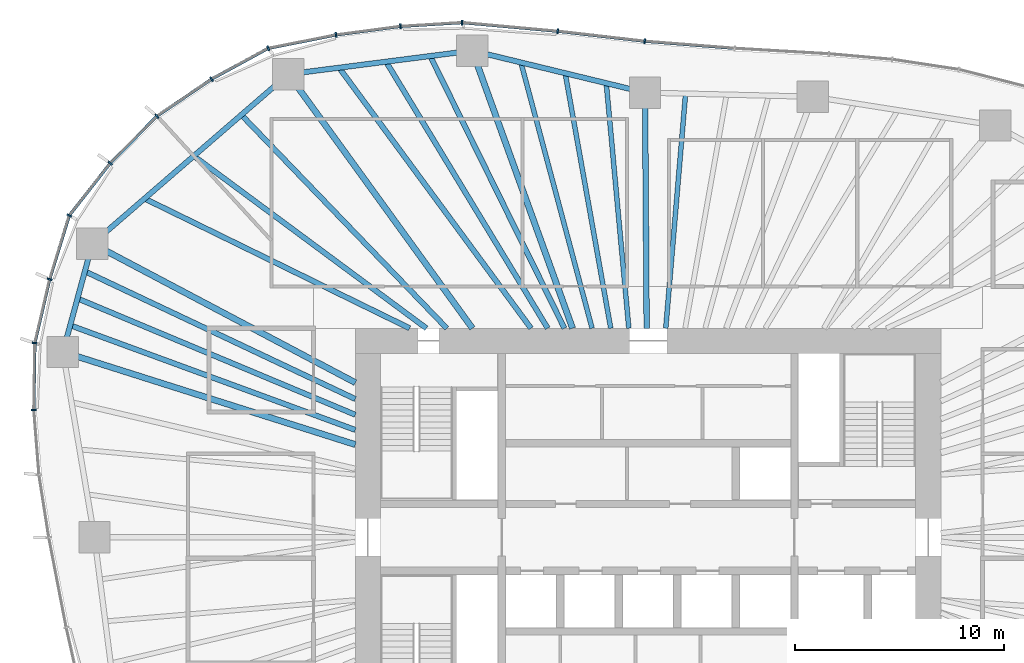
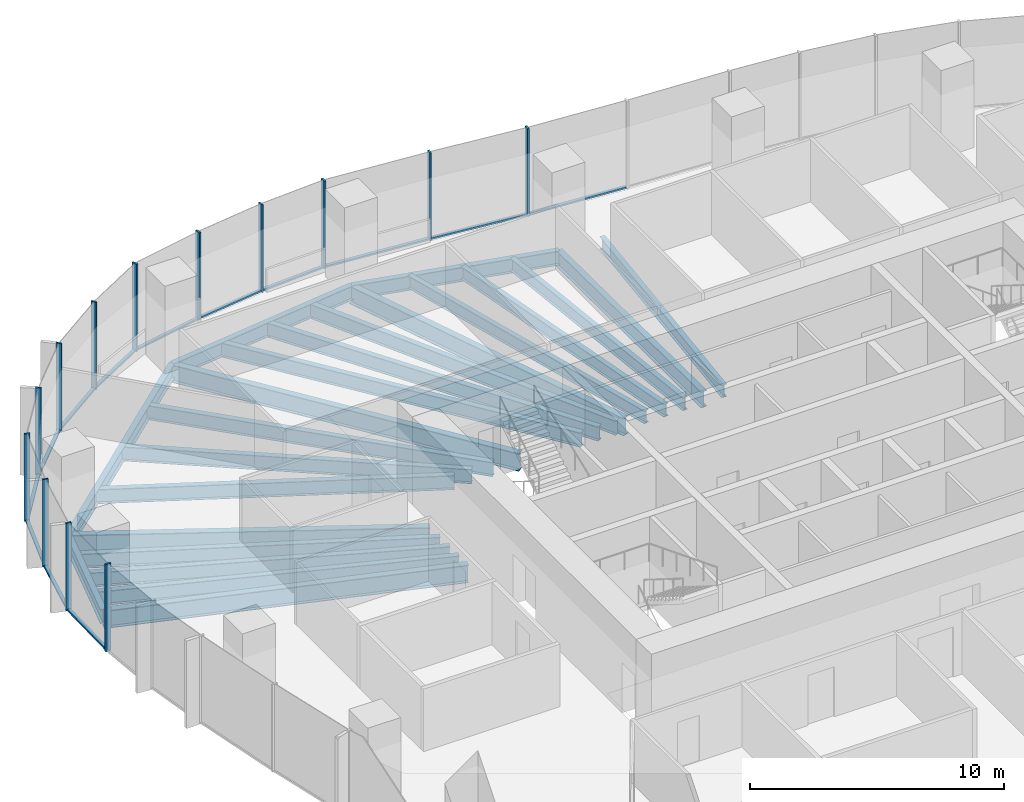
# One storey, part 5 of 18: 26 members, 22 beams, 6 elements without a shape of their own.
"""IFC4 building model written with IfcOpenShell, lengths in metres."""

from ifc_helpers import new_model, si_unit, direction, frame, origin, origin_2d, place, context, subcontext, project, spatial, rectangle, i_section, extrude, material, material_profile, profile_set, type_object, element, aggregate, save


model = new_model("IFC4")

# Units and contexts
model_context = context("Model", 3, precision=1e-05, world=origin(), true_north=direction((0.0, 1.0)))
body_context = subcontext(model_context, "Body", "Model", "MODEL_VIEW")
ifc_project = project(units=[si_unit("LENGTHUNIT", "METRE"), si_unit("AREAUNIT", "SQUARE_METRE"), si_unit("VOLUMEUNIT", "CUBIC_METRE"), si_unit("PLANEANGLEUNIT", "RADIAN"), si_unit("MASSUNIT", "GRAM", prefix="KILO")], contexts=[model_context])

# Site, building, storey
site_placement = place(None, origin())
site = spatial("IfcSite", under=ifc_project, at=site_placement, CompositionType="ELEMENT")
building_placement = place(site_placement, origin())
building = spatial("IfcBuilding", under=site, at=building_placement, Name="Ghaith Harvest Tower", CompositionType="ELEMENT")
storey_placement = place(building_placement, frame((0.0, 0.0, 117.60009765625)))
storey = spatial("IfcBuildingStorey", under=building, at=storey_placement, Name="L24", CompositionType="ELEMENT", Elevation=117.60009765625)

# Curtain wall, members
ifc_material_1 = material(Name="Black anodised aluminium and fritted glass", Category="aluminium")
curtain_wall_type = type_object("IfcCurtainWallType", Name="CW-L CURTAIN WALL", PredefinedType="NOTDEFINED", material=ifc_material_1)
curtain_wall_1_placement = place(storey_placement, origin())
curtain_wall_1 = element("IfcCurtainWall", 1, at=curtain_wall_1_placement, inside=storey, type_object=curtain_wall_type, Name="Curtain wall CW-L bay 06 L24", PredefinedType="NOTDEFINED")
ifc_material_2 = material(Name="Aluminium, black anodised", Category="aluminium")
ifc_material_profile_1 = material_profile(ifc_material_2, rectangle(XDim=0.080078125, YDim=0.239990234375, at=origin_2d()), Name="CW-L MULLION 80x240")
ifc_profile_set_1 = profile_set([ifc_material_profile_1], Name="Aluminium, black anodised")
member_type_1 = type_object("IfcMemberType", Name="CW-L MULLION 80x240", PredefinedType="MULLION", material=ifc_profile_set_1)
member_1_placement = place(storey_placement, frame((-0.162353515625, 23.729736328125, 0.0), z_axis=(0.0, 0.0, 1.0), x_axis=(-0.995388088953, 0.095929934691, 0.0)))
member_1 = element("IfcMember", 2, at=member_1_placement, type_object=member_type_1, Name="CW-L mullion 1 bay 06 L24", PredefinedType="MULLION", context=body_context, shape_type="SweptSolid", body=[
    extrude(rectangle(XDim=0.080078125, YDim=0.239990234375, at=origin_2d()), origin(), (0.0, 0.0, 1.0), 4.199951171875),
])
member_2_placement = place(storey_placement, frame((-4.322998046875, 24.207275390625, 0.0), z_axis=(0.0, 0.0, 1.0), x_axis=(-0.994830371571, 0.101550636625, 0.0)))
member_2 = element("IfcMember", 3, at=member_2_placement, type_object=member_type_1, Name="CW-L mullion 2 bay 06 L24", PredefinedType="MULLION", context=body_context, shape_type="SweptSolid", body=[
    extrude(rectangle(XDim=0.080078125, YDim=0.239990234375, at=origin_2d()), origin(), (0.0, 0.0, 1.0), 4.199951171875),
])

curtain_wall_2_placement = place(storey_placement, origin())
curtain_wall_2 = element("IfcCurtainWall", 4, at=curtain_wall_2_placement, inside=storey, type_object=curtain_wall_type, Name="Curtain wall CW-L bay 07 L24", PredefinedType="NOTDEFINED")
member_3_placement = place(storey_placement, frame((-8.892578125, 24.620849609375, 0.0), z_axis=(0.0, 0.0, 1.0), x_axis=(-0.999522209385, 0.030908784286, 0.0)))
member_3 = element("IfcMember", 5, at=member_3_placement, type_object=member_type_1, Name="CW-L mullion 1 bay 07 L24", PredefinedType="MULLION", context=body_context, shape_type="SweptSolid", body=[
    extrude(rectangle(XDim=0.080078125, YDim=0.239990234375, at=origin_2d()), origin(), (0.0, 0.0, 1.0), 4.199951171875),
])
member_4_placement = place(storey_placement, frame((-11.841064453125, 24.439697265625, 0.0), z_axis=(0.0, 0.0, 1.0), x_axis=(-0.995237520168, -0.097479630949, 0.0)))
member_4 = element("IfcMember", 6, at=member_4_placement, type_object=member_type_1, Name="CW-L mullion 2 bay 07 L24", PredefinedType="MULLION", context=body_context, shape_type="SweptSolid", body=[
    extrude(rectangle(XDim=0.080078125, YDim=0.239990234375, at=origin_2d()), origin(), (0.0, 0.0, 1.0), 4.199951171875),
])
member_5_placement = place(storey_placement, frame((-14.923828125, 24.030029296875, 0.0), z_axis=(0.0, 0.0, 1.0), x_axis=(-0.986494514812, -0.163794298578, 0.0)))
member_5 = element("IfcMember", 7, at=member_5_placement, type_object=member_type_1, Name="CW-L mullion 3 bay 07 L24", PredefinedType="MULLION", context=body_context, shape_type="SweptSolid", body=[
    extrude(rectangle(XDim=0.080078125, YDim=0.239990234375, at=origin_2d()), origin(), (0.0, 0.0, 1.0), 4.199951171875),
])

curtain_wall_3_placement = place(storey_placement, origin())
curtain_wall_3 = element("IfcCurtainWall", 8, at=curtain_wall_3_placement, inside=storey, type_object=curtain_wall_type, Name="Curtain wall CW-L bay 08 L24", PredefinedType="NOTDEFINED")
member_6_placement = place(storey_placement, frame((-18.165283203125, 23.3896484375, 0.0), z_axis=(0.0, 0.0, 1.0), x_axis=(-0.942103541202, -0.335322110298, 0.0)))
member_6 = element("IfcMember", 9, at=member_6_placement, type_object=member_type_1, Name="CW-L mullion 1 bay 08 L24", PredefinedType="MULLION", context=body_context, shape_type="SweptSolid", body=[
    extrude(rectangle(XDim=0.080078125, YDim=0.239990234375, at=origin_2d()), origin(), (0.0, 0.0, 1.0), 4.199951171875),
])
member_7_placement = place(storey_placement, frame((-20.87548828125, 21.91162109375, 0.0), z_axis=(0.0, 0.0, 1.0), x_axis=(-0.853515864435, -0.521066856707, 0.0)))
member_7 = element("IfcMember", 10, at=member_7_placement, type_object=member_type_1, Name="CW-L mullion 2 bay 08 L24", PredefinedType="MULLION", context=body_context, shape_type="SweptSolid", body=[
    extrude(rectangle(XDim=0.080078125, YDim=0.239990234375, at=origin_2d()), origin(), (0.0, 0.0, 1.0), 4.199951171875),
])
member_8_placement = place(storey_placement, frame((-23.489501953125, 20.13916015625, 0.0), z_axis=(0.0, 0.0, 1.0), x_axis=(-0.769682554376, -0.638426789451, 0.0)))
member_8 = element("IfcMember", 11, at=member_8_placement, type_object=member_type_1, Name="CW-L mullion 3 bay 08 L24", PredefinedType="MULLION", context=body_context, shape_type="SweptSolid", body=[
    extrude(rectangle(XDim=0.080078125, YDim=0.239990234375, at=origin_2d()), origin(), (0.0, 0.0, 1.0), 4.199951171875),
])

curtain_wall_4_placement = place(storey_placement, origin())
curtain_wall_4 = element("IfcCurtainWall", 12, at=curtain_wall_4_placement, inside=storey, type_object=curtain_wall_type, Name="Curtain wall CW-L bay 09 L24", PredefinedType="NOTDEFINED")
member_9_placement = place(storey_placement, frame((-25.718017578125, 17.894775390625, 0.0), z_axis=(0.0, 0.0, 1.0), x_axis=(-0.661903840688, -0.749588757708, 0.0)))
member_9 = element("IfcMember", 13, at=member_9_placement, type_object=member_type_1, Name="CW-L mullion 1 bay 09 L24", PredefinedType="MULLION", context=body_context, shape_type="SweptSolid", body=[
    extrude(rectangle(XDim=0.080078125, YDim=0.239990234375, at=origin_2d()), origin(), (0.0, 0.0, 1.0), 4.199951171875),
])
member_10_placement = place(storey_placement, frame((-27.67919921875, 15.39453125, 0.0), z_axis=(0.0, 0.0, 1.0), x_axis=(-0.462889784298, -0.886415843491, 0.0)))
member_10 = element("IfcMember", 14, at=member_10_placement, type_object=member_type_1, Name="CW-L mullion 2 bay 09 L24", PredefinedType="MULLION", context=body_context, shape_type="SweptSolid", body=[
    extrude(rectangle(XDim=0.080078125, YDim=0.239990234375, at=origin_2d()), origin(), (0.0, 0.0, 1.0), 4.199951171875),
])
member_11_placement = place(storey_placement, frame((-28.61669921875, 12.343994140625, 0.0), z_axis=(0.0, 0.0, 1.0), x_axis=(-0.260727312416, -0.965412486226, 0.0)))
member_11 = element("IfcMember", 15, at=member_11_placement, type_object=member_type_1, Name="CW-L mullion 3 bay 09 L24", PredefinedType="MULLION", context=body_context, shape_type="SweptSolid", body=[
    extrude(rectangle(XDim=0.080078125, YDim=0.239990234375, at=origin_2d()), origin(), (0.0, 0.0, 1.0), 4.199951171875),
])

curtain_wall_5_placement = place(storey_placement, origin())
curtain_wall_5 = element("IfcCurtainWall", 16, at=curtain_wall_5_placement, inside=storey, type_object=curtain_wall_type, Name="Curtain wall CW-L bay 10 L24", PredefinedType="NOTDEFINED")
member_12_placement = place(storey_placement, frame((-29.32666015625, 9.294189453125, 0.0), z_axis=(0.0, 0.0, 1.0), x_axis=(-0.120932140225, -0.99266077663, 0.0)))
member_12 = element("IfcMember", 17, at=member_12_placement, type_object=member_type_1, Name="CW-L mullion 1 bay 10 L24", PredefinedType="MULLION", context=body_context, shape_type="SweptSolid", body=[
    extrude(rectangle(XDim=0.080078125, YDim=0.239990234375, at=origin_2d()), origin(), (0.0, 0.0, 1.0), 4.199951171875),
])
member_13_placement = place(storey_placement, frame((-29.3779296875, 6.09619140625, 0.0), z_axis=(0.0, 0.0, 1.0), x_axis=(0.031027769448, -0.999518522851, 0.0)))
member_13 = element("IfcMember", 18, at=member_13_placement, type_object=member_type_1, Name="CW-L mullion 2 bay 10 L24", PredefinedType="MULLION", context=body_context, shape_type="SweptSolid", body=[
    extrude(rectangle(XDim=0.080078125, YDim=0.239990234375, at=origin_2d()), origin(), (0.0, 0.0, 1.0), 4.199951171875),
])

# Curtain wall, member
curtain_wall_6_placement = place(storey_placement, origin())
curtain_wall_6 = element("IfcCurtainWall", 19, at=curtain_wall_6_placement, inside=storey, type_object=curtain_wall_type, Name="Curtain wall CW-L bay 05 L24", PredefinedType="NOTDEFINED")
ifc_material_3 = material(Name="Aluminium, black anodised", Category="aluminium")
ifc_material_profile_2 = material_profile(ifc_material_3, rectangle(XDim=0.14990234375, YDim=0.080078125, at=origin_2d()), Name="CW-L TRANSOM 150x80")
ifc_profile_set_2 = profile_set([ifc_material_profile_2], Name="Aluminium, black anodised")
member_type_2 = type_object("IfcMemberType", Name="CW-L TRANSOM 150x80", PredefinedType="USERDEFINED", material=ifc_profile_set_2)
member_14_placement = place(storey_placement, frame((4.106689453125, 23.39404296875, 0.039794921875), z_axis=(-0.996923406046, 0.078381901463, 0.0), x_axis=(-0.078381901463, -0.996923406046, 0.0)))
member_14 = element("IfcMember", 20, at=member_14_placement, type_object=member_type_2, Name="CW-L transom 2 bay 05 L24", ObjectType="TRANSOM", PredefinedType="USERDEFINED", context=body_context, shape_type="SweptSolid", body=[
    extrude(rectangle(XDim=0.14990234375, YDim=0.080078125, at=origin_2d()), origin(), (0.0, 0.0, 1.0), 4.2421875),
])
aggregate(curtain_wall_6, [member_14])

# Member
member_15_placement = place(storey_placement, frame((-0.2021484375, 23.734130859375, 0.039794921875), z_axis=(-0.993474883942, 0.114051106861, 0.0), x_axis=(-0.114051106861, -0.993474883942, 0.0)))
member_15 = element("IfcMember", 21, at=member_15_placement, type_object=member_type_2, Name="CW-L transom 1 bay 06 L24", ObjectType="TRANSOM", PredefinedType="USERDEFINED", context=body_context, shape_type="SweptSolid", body=[
    extrude(rectangle(XDim=0.14990234375, YDim=0.080078125, at=origin_2d()), origin(), (0.0, 0.0, 1.0), 4.10791015625),
])

member_16_placement = place(storey_placement, frame((-4.36279296875, 24.210693359375, 0.039794921875), z_axis=(-0.995926431676, 0.090169521954, 0.0), x_axis=(-0.090169521954, -0.995926431676, 0.0)))
member_16 = element("IfcMember", 22, at=member_16_placement, type_object=member_type_2, Name="CW-L transom 2 bay 06 L24", ObjectType="TRANSOM", PredefinedType="USERDEFINED", context=body_context, shape_type="SweptSolid", body=[
    extrude(rectangle(XDim=0.14990234375, YDim=0.080078125, at=origin_2d()), origin(), (0.0, 0.0, 1.0), 4.508056640625),
])

aggregate(curtain_wall_1, [member_1, member_15, member_2, member_16])

member_17_placement = place(storey_placement, frame((-8.932373046875, 24.618408203125, 0.039794921875), z_axis=(-0.998117793577, -0.061325933705, 0.0), x_axis=(0.061325933705, -0.998117793577, 0.0)))
member_17 = element("IfcMember", 23, at=member_17_placement, type_object=member_type_2, Name="CW-L transom 1 bay 07 L24", ObjectType="TRANSOM", PredefinedType="USERDEFINED", context=body_context, shape_type="SweptSolid", body=[
    extrude(rectangle(XDim=0.14990234375, YDim=0.080078125, at=origin_2d()), origin(), (0.0, 0.0, 1.0), 2.874267578125),
])

member_18_placement = place(storey_placement, frame((-11.880859375, 24.434326171875, 0.039794921875), z_axis=(-0.991293929443, -0.131667556553, 0.0), x_axis=(0.131667556553, -0.991293929443, 0.0)))
member_18 = element("IfcMember", 24, at=member_18_placement, type_object=member_type_2, Name="CW-L transom 2 bay 07 L24", ObjectType="TRANSOM", PredefinedType="USERDEFINED", context=body_context, shape_type="SweptSolid", body=[
    extrude(rectangle(XDim=0.14990234375, YDim=0.080078125, at=origin_2d()), origin(), (0.0, 0.0, 1.0), 3.02978515625),
])

member_19_placement = place(storey_placement, frame((-14.963134765625, 24.022216796875, 0.039794921875), z_axis=(-0.98104391994, -0.19378551842, 0.0), x_axis=(0.19378551842, -0.98104391994, 0.0)))
member_19 = element("IfcMember", 25, at=member_19_placement, type_object=member_type_2, Name="CW-L transom 3 bay 07 L24", ObjectType="TRANSOM", PredefinedType="USERDEFINED", context=body_context, shape_type="SweptSolid", body=[
    extrude(rectangle(XDim=0.14990234375, YDim=0.080078125, at=origin_2d()), origin(), (0.0, 0.0, 1.0), 3.223876953125),
])

aggregate(curtain_wall_2, [member_3, member_17, member_4, member_18, member_5, member_19])

member_20_placement = place(storey_placement, frame((-18.200439453125, 23.37060546875, 0.039794921875), z_axis=(-0.877929702377, -0.478789554695, 0.0), x_axis=(0.478789554695, -0.877929702377, 0.0)))
member_20 = element("IfcMember", 26, at=member_20_placement, type_object=member_type_2, Name="CW-L transom 1 bay 08 L24", ObjectType="TRANSOM", PredefinedType="USERDEFINED", context=body_context, shape_type="SweptSolid", body=[
    extrude(rectangle(XDim=0.14990234375, YDim=0.080078125, at=origin_2d()), origin(), (0.0, 0.0, 1.0), 3.0068359375),
])

member_21_placement = place(storey_placement, frame((-20.908447265625, 21.88916015625, 0.039794921875), z_axis=(-0.827681025079, -0.561198824593, 0.0), x_axis=(0.561198824593, -0.827681025079, 0.0)))
member_21 = element("IfcMember", 27, at=member_21_placement, type_object=member_type_2, Name="CW-L transom 2 bay 08 L24", ObjectType="TRANSOM", PredefinedType="USERDEFINED", context=body_context, shape_type="SweptSolid", body=[
    extrude(rectangle(XDim=0.14990234375, YDim=0.080078125, at=origin_2d()), origin(), (0.0, 0.0, 1.0), 3.078369140625),
])

member_22_placement = place(storey_placement, frame((-23.517578125, 20.11083984375, 0.039794921875), z_axis=(-0.704647577514, -0.709557461735, 0.0), x_axis=(0.709557461735, -0.704647577514, 0.0)))
member_22 = element("IfcMember", 28, at=member_22_placement, type_object=member_type_2, Name="CW-L transom 3 bay 08 L24", ObjectType="TRANSOM", PredefinedType="USERDEFINED", context=body_context, shape_type="SweptSolid", body=[
    extrude(rectangle(XDim=0.14990234375, YDim=0.080078125, at=origin_2d()), origin(), (0.0, 0.0, 1.0), 3.0830078125),
])

aggregate(curtain_wall_3, [member_6, member_20, member_7, member_21, member_8, member_22])

member_23_placement = place(storey_placement, frame((-25.74267578125, 17.86328125, 0.039794921875), z_axis=(-0.617198298797, -0.786807638474, 0.0), x_axis=(0.786807638474, -0.617198298797, 0.0)))
member_23 = element("IfcMember", 29, at=member_23_placement, type_object=member_type_2, Name="CW-L transom 1 bay 09 L24", ObjectType="TRANSOM", PredefinedType="USERDEFINED", context=body_context, shape_type="SweptSolid", body=[
    extrude(rectangle(XDim=0.14990234375, YDim=0.080078125, at=origin_2d()), origin(), (0.0, 0.0, 1.0), 3.09765625),
])

member_24_placement = place(storey_placement, frame((-27.69091796875, 15.356201171875, 0.039794921875), z_axis=(-0.293777058804, -0.955873966441, 0.0), x_axis=(0.955873966441, -0.293777058804, 0.0)))
member_24 = element("IfcMember", 30, at=member_24_placement, type_object=member_type_2, Name="CW-L transom 2 bay 09 L24", ObjectType="TRANSOM", PredefinedType="USERDEFINED", context=body_context, shape_type="SweptSolid", body=[
    extrude(rectangle(XDim=0.14990234375, YDim=0.080078125, at=origin_2d()), origin(), (0.0, 0.0, 1.0), 3.111328125),
])

member_25_placement = place(storey_placement, frame((-28.6259765625, 12.304931640625, 0.039794921875), z_axis=(-0.226670598607, -0.973971477882, 0.0), x_axis=(0.973971477882, -0.226670598607, 0.0)))
member_25 = element("IfcMember", 31, at=member_25_placement, type_object=member_type_2, Name="CW-L transom 3 bay 09 L24", ObjectType="TRANSOM", PredefinedType="USERDEFINED", context=body_context, shape_type="SweptSolid", body=[
    extrude(rectangle(XDim=0.14990234375, YDim=0.080078125, at=origin_2d()), origin(), (0.0, 0.0, 1.0), 3.05126953125),
])

aggregate(curtain_wall_4, [member_9, member_23, member_10, member_24, member_11, member_25])

member_26_placement = place(storey_placement, frame((-29.327392578125, 9.254150390625, 0.039794921875), z_axis=(-0.015971652868, -0.999872445017, 0.0), x_axis=(0.999872445017, -0.015971652868, 0.0)))
member_26 = element("IfcMember", 32, at=member_26_placement, type_object=member_type_2, Name="CW-L transom 1 bay 10 L24", ObjectType="TRANSOM", PredefinedType="USERDEFINED", context=body_context, shape_type="SweptSolid", body=[
    extrude(rectangle(XDim=0.14990234375, YDim=0.080078125, at=origin_2d()), origin(), (0.0, 0.0, 1.0), 3.118408203125),
])

aggregate(curtain_wall_5, [member_12, member_26, member_13])

# Beams
ifc_material_4 = material(Name="Steel ASTM A992 Grade 50", Category="steel")
ifc_material_profile_3 = material_profile(ifc_material_4, i_section(OverallWidth=0.25390625, OverallDepth=0.68408203125, WebThickness=0.012451171875, FlangeThickness=0.018798828125, at=origin_2d()), Name="W690X140")
ifc_profile_set_3 = profile_set([ifc_material_profile_3], Name="Steel ASTM A992 Grade 50")
beam_type_1 = type_object("IfcBeamType", Name="E690-140 W690X140", PredefinedType="SPANDREL", material=ifc_profile_set_3)
beam_1_placement = place(storey_placement, frame((-0.14599609375, 21.27099609375, -0.51220703125), z_axis=(-0.971790293477, 0.235846614358, 0.0), x_axis=(-0.235846614358, -0.971790293477, 0.0)))
element("IfcBeam", 33, at=beam_1_placement, inside=storey, type_object=beam_type_1, Name="Edge beam E06 L24", PredefinedType="SPANDREL", context=body_context, shape_type="SweptSolid", body=[
    extrude(i_section(OverallWidth=0.25390625, OverallDepth=0.68408203125, WebThickness=0.012451171875, FlangeThickness=0.018798828125, at=origin_2d()), origin(), (0.0, 0.0, 1.0), 8.500732421875),
])
beam_2_placement = place(storey_placement, frame((-8.406982421875, 23.27587890625, -0.51220703125), z_axis=(-0.991904090065, -0.126989275577, 0.0), x_axis=(0.126989275577, -0.991904090065, 0.0)))
element("IfcBeam", 34, at=beam_2_placement, inside=storey, type_object=beam_type_1, Name="Edge beam E07 L24", PredefinedType="SPANDREL", context=body_context, shape_type="SweptSolid", body=[
    extrude(i_section(OverallWidth=0.25390625, OverallDepth=0.68408203125, WebThickness=0.012451171875, FlangeThickness=0.018798828125, at=origin_2d()), origin(), (0.0, 0.0, 1.0), 8.86669921875),
])
beam_3_placement = place(storey_placement, frame((-17.201904296875, 22.14990234375, -0.51220703125), z_axis=(-0.756392158274, -0.654118416574, 0.0), x_axis=(0.654118416574, -0.756392158274, 0.0)))
element("IfcBeam", 35, at=beam_3_placement, inside=storey, type_object=beam_type_1, Name="Edge beam E08 L24", PredefinedType="SPANDREL", context=body_context, shape_type="SweptSolid", body=[
    extrude(i_section(OverallWidth=0.25390625, OverallDepth=0.68408203125, WebThickness=0.012451171875, FlangeThickness=0.018798828125, at=origin_2d()), origin(), (0.0, 0.0, 1.0), 12.38916015625),
])
beam_4_placement = place(storey_placement, frame((-26.572998046875, 14.0458984375, -0.51220703125), z_axis=(-0.262724740433, -0.964870825947, 0.0), x_axis=(0.964870825947, -0.262724740433, 0.0)))
element("IfcBeam", 36, at=beam_4_placement, inside=storey, type_object=beam_type_1, Name="Edge beam E09 L24", PredefinedType="SPANDREL", context=body_context, shape_type="SweptSolid", body=[
    extrude(i_section(OverallWidth=0.25390625, OverallDepth=0.68408203125, WebThickness=0.012451171875, FlangeThickness=0.018798828125, at=origin_2d()), origin(), (0.0, 0.0, 1.0), 5.366455078125),
])
ifc_material_5 = material(Name="Steel ASTM A992 Grade 50", Category="steel")
ifc_material_profile_4 = material_profile(ifc_material_5, i_section(OverallWidth=0.26806640625, OverallDepth=0.77001953125, WebThickness=0.015625, FlangeThickness=0.025390625, at=origin_2d()), Name="W760X196")
ifc_profile_set_4 = profile_set([ifc_material_profile_4], Name="Steel ASTM A992 Grade 50")
beam_type_2 = type_object("IfcBeamType", Name="G760-196 W760X196", PredefinedType="BEAM", material=ifc_profile_set_4)
beam_5_placement = place(storey_placement, frame((-0.068359375, 10.0, -0.55517578125), z_axis=(-0.006888022705, 0.99997627729, 0.0), x_axis=(-0.99997627729, -0.006888022705, 0.0)))
element("IfcBeam", 37, at=beam_5_placement, inside=storey, type_object=beam_type_2, Name="Radial girder G06 L24", PredefinedType="BEAM", context=body_context, shape_type="SweptSolid", body=[
    extrude(i_section(OverallWidth=0.26806640625, OverallDepth=0.77001953125, WebThickness=0.015625, FlangeThickness=0.025390625, at=origin_2d()), origin(), (0.0, 0.0, 1.0), 11.271240234375),
])
ifc_material_6 = material(Name="Steel ASTM A992 Grade 50", Category="steel")
ifc_material_profile_5 = material_profile(ifc_material_6, i_section(OverallWidth=0.2939453125, OverallDepth=0.85107421875, WebThickness=0.01611328125, FlangeThickness=0.02685546875, at=origin_2d()), Name="W840X226")
ifc_profile_set_5 = profile_set([ifc_material_profile_5], Name="Steel ASTM A992 Grade 50")
beam_type_3 = type_object("IfcBeamType", Name="G840-226 W840X226", PredefinedType="BEAM", material=ifc_profile_set_5)
beam_6_placement = place(storey_placement, frame((-3.61181640625, 10.0, -0.595703125), z_axis=(-0.339713316819, 0.940529033245, 0.0), x_axis=(-0.940529033245, -0.339713316819, 0.0)))
element("IfcBeam", 38, at=beam_6_placement, inside=storey, type_object=beam_type_3, Name="Radial girder G07 L24", PredefinedType="BEAM", context=body_context, shape_type="SweptSolid", body=[
    extrude(i_section(OverallWidth=0.2939453125, OverallDepth=0.85107421875, WebThickness=0.01611328125, FlangeThickness=0.02685546875, at=origin_2d()), origin(), (0.0, 0.0, 1.0), 14.115234375),
])
beam_7_placement = place(storey_placement, frame((-8.39990234375, 10.0, -0.595703125), z_axis=(-0.586675813287, 0.809821887889, 0.0), x_axis=(-0.809821887889, -0.586675813287, 0.0)))
element("IfcBeam", 39, at=beam_7_placement, inside=storey, type_object=beam_type_3, Name="Radial girder G08 L24", PredefinedType="BEAM", context=body_context, shape_type="SweptSolid", body=[
    extrude(i_section(OverallWidth=0.2939453125, OverallDepth=0.85107421875, WebThickness=0.01611328125, FlangeThickness=0.02685546875, at=origin_2d()), origin(), (0.0, 0.0, 1.0), 15.003173828125),
])
beam_8_placement = place(storey_placement, frame((-14.0, 7.39990234375, -0.595703125), z_axis=(-0.88408713845, 0.467322085533, 0.0), x_axis=(-0.467322085533, -0.88408713845, 0.0)))
element("IfcBeam", 40, at=beam_8_placement, inside=storey, type_object=beam_type_3, Name="Radial girder G09 L24", PredefinedType="BEAM", context=body_context, shape_type="SweptSolid", body=[
    extrude(i_section(OverallWidth=0.2939453125, OverallDepth=0.85107421875, WebThickness=0.01611328125, FlangeThickness=0.02685546875, at=origin_2d()), origin(), (0.0, 0.0, 1.0), 14.221435546875),
])
beam_9_placement = place(storey_placement, frame((-14.0, 4.43701171875, -0.595703125), z_axis=(-0.953283605796, 0.302076756671, 0.0), x_axis=(-0.302076756671, -0.953283605796, 0.0)))
element("IfcBeam", 41, at=beam_9_placement, inside=storey, type_object=beam_type_3, Name="Radial girder G10 L24", PredefinedType="BEAM", context=body_context, shape_type="SweptSolid", body=[
    extrude(i_section(OverallWidth=0.2939453125, OverallDepth=0.85107421875, WebThickness=0.01611328125, FlangeThickness=0.02685546875, at=origin_2d()), origin(), (0.0, 0.0, 1.0), 14.668212890625),
])
ifc_material_7 = material(Name="Steel ASTM A992 Grade 50", Category="steel")
ifc_material_profile_6 = material_profile(ifc_material_7, i_section(OverallWidth=0.22900390625, OverallDepth=0.612060546875, WebThickness=0.011962890625, FlangeThickness=0.01953125, at=origin_2d()), Name="W610X125")
ifc_profile_set_6 = profile_set([ifc_material_profile_6], Name="Steel ASTM A992 Grade 50")
beam_type_4 = type_object("IfcBeamType", Name="J610-125 W610X125", PredefinedType="JOIST", material=ifc_profile_set_6)
beam_10_placement = place(storey_placement, frame((0.844970703125, 10.0, -0.47607421875), z_axis=(0.084213263804, 0.996447753873, 0.0), x_axis=(-0.996447753873, 0.084213263804, 0.0)))
element("IfcBeam", 42, at=beam_10_placement, inside=storey, type_object=beam_type_4, Name="Joist J05.3 L24", PredefinedType="JOIST", context=body_context, shape_type="SweptSolid", body=[
    extrude(i_section(OverallWidth=0.22900390625, OverallDepth=0.612060546875, WebThickness=0.011962890625, FlangeThickness=0.01953125, at=origin_2d()), origin(), (0.0, 0.0, 1.0), 11.262939453125),
])
beam_11_placement = place(storey_placement, frame((-0.92041015625, 10.0, -0.47607421875), z_axis=(-0.091659676302, 0.995790391468, 0.0), x_axis=(-0.995790391468, -0.091659676302, 0.0)))
element("IfcBeam", 43, at=beam_11_placement, inside=storey, type_object=beam_type_4, Name="Joist J06.1 L24", PredefinedType="JOIST", context=body_context, shape_type="SweptSolid", body=[
    extrude(i_section(OverallWidth=0.22900390625, OverallDepth=0.612060546875, WebThickness=0.011962890625, FlangeThickness=0.01953125, at=origin_2d()), origin(), (0.0, 0.0, 1.0), 11.770263671875),
])
beam_12_placement = place(storey_placement, frame((-1.785888671875, 10.0, -0.47607421875), z_axis=(-0.175794730188, 0.984426844838, 0.0), x_axis=(-0.984426844838, -0.175794730188, 0.0)))
element("IfcBeam", 44, at=beam_12_placement, inside=storey, type_object=beam_type_4, Name="Joist J06.2 L24", PredefinedType="JOIST", context=body_context, shape_type="SweptSolid", body=[
    extrude(i_section(OverallWidth=0.22900390625, OverallDepth=0.612060546875, WebThickness=0.011962890625, FlangeThickness=0.01953125, at=origin_2d()), origin(), (0.0, 0.0, 1.0), 12.390625),
])
beam_13_placement = place(storey_placement, frame((-2.677978515625, 10.0, -0.47607421875), z_axis=(-0.258692500157, 0.965959725021, 0.0), x_axis=(-0.965959725021, -0.258692500157, 0.0)))
element("IfcBeam", 45, at=beam_13_placement, inside=storey, type_object=beam_type_4, Name="Joist J06.3 L24", PredefinedType="JOIST", context=body_context, shape_type="SweptSolid", body=[
    extrude(i_section(OverallWidth=0.22900390625, OverallDepth=0.612060546875, WebThickness=0.011962890625, FlangeThickness=0.01953125, at=origin_2d()), origin(), (0.0, 0.0, 1.0), 13.15966796875),
])
ifc_material_8 = material(Name="Steel ASTM A992 Grade 50", Category="steel")
ifc_material_profile_7 = material_profile(ifc_material_8, i_section(OverallWidth=0.25390625, OverallDepth=0.68408203125, WebThickness=0.012451171875, FlangeThickness=0.018798828125, at=origin_2d()), Name="W690X140")
ifc_profile_set_7 = profile_set([ifc_material_profile_7], Name="Steel ASTM A992 Grade 50")
beam_type_5 = type_object("IfcBeamType", Name="J690-140 W690X140", PredefinedType="JOIST", material=ifc_profile_set_7)
beam_14_placement = place(storey_placement, frame((-4.0, 10.0, -0.51220703125), z_axis=(-0.442214455448, 0.896909346251, 0.0), x_axis=(-0.896909346251, -0.442214455448, 0.0)))
element("IfcBeam", 46, at=beam_14_placement, inside=storey, type_object=beam_type_5, Name="Joist J07.1 L24", PredefinedType="JOIST", context=body_context, shape_type="SweptSolid", body=[
    extrude(i_section(OverallWidth=0.25390625, OverallDepth=0.68408203125, WebThickness=0.012451171875, FlangeThickness=0.018798828125, at=origin_2d()), origin(), (0.0, 0.0, 1.0), 14.514892578125),
])
beam_15_placement = place(storey_placement, frame((-4.800048828125, 10.0, -0.51220703125), z_axis=(-0.51847337083, 0.855093774822, 0.0), x_axis=(-0.855093774822, -0.51847337083, 0.0)))
element("IfcBeam", 47, at=beam_15_placement, inside=storey, type_object=beam_type_5, Name="Joist J07.2 L24", PredefinedType="JOIST", context=body_context, shape_type="SweptSolid", body=[
    extrude(i_section(OverallWidth=0.25390625, OverallDepth=0.68408203125, WebThickness=0.012451171875, FlangeThickness=0.018798828125, at=origin_2d()), origin(), (0.0, 0.0, 1.0), 14.90869140625),
])
beam_16_placement = place(storey_placement, frame((-5.60009765625, 10.0, -0.51220703125), z_axis=(-0.592984827174, 0.805213632983, 0.0), x_axis=(-0.805213632983, -0.592984827174, 0.0)))
element("IfcBeam", 48, at=beam_16_placement, inside=storey, type_object=beam_type_5, Name="Joist J07.3 L24", PredefinedType="JOIST", context=body_context, shape_type="SweptSolid", body=[
    extrude(i_section(OverallWidth=0.25390625, OverallDepth=0.68408203125, WebThickness=0.012451171875, FlangeThickness=0.018798828125, at=origin_2d()), origin(), (0.0, 0.0, 1.0), 15.474609375),
])
beam_17_placement = place(storey_placement, frame((-9.626708984375, 10.0, -0.51220703125), z_axis=(-0.693535693616, 0.720422266231, 0.0), x_axis=(-0.720422266231, -0.693535693616, 0.0)))
element("IfcBeam", 49, at=beam_17_placement, inside=storey, type_object=beam_type_5, Name="Joist J08.1 L24", PredefinedType="JOIST", context=body_context, shape_type="SweptSolid", body=[
    extrude(i_section(OverallWidth=0.25390625, OverallDepth=0.68408203125, WebThickness=0.012451171875, FlangeThickness=0.018798828125, at=origin_2d()), origin(), (0.0, 0.0, 1.0), 14.16552734375),
])
beam_18_placement = place(storey_placement, frame((-10.60009765625, 10.0, -0.51220703125), z_axis=(-0.803663089107, 0.595084564752, 0.0), x_axis=(-0.595084564752, -0.803663089107, 0.0)))
element("IfcBeam", 50, at=beam_18_placement, inside=storey, type_object=beam_type_5, Name="Joist J08.2 L24", PredefinedType="JOIST", context=body_context, shape_type="SweptSolid", body=[
    extrude(i_section(OverallWidth=0.25390625, OverallDepth=0.68408203125, WebThickness=0.012451171875, FlangeThickness=0.018798828125, at=origin_2d()), origin(), (0.0, 0.0, 1.0), 13.843505859375),
])
beam_19_placement = place(storey_placement, frame((-11.39990234375, 10.0, -0.51220703125), z_axis=(-0.898274832354, 0.439434096946, 0.0), x_axis=(-0.439434096946, -0.898274832354, 0.0)))
element("IfcBeam", 51, at=beam_19_placement, inside=storey, type_object=beam_type_5, Name="Joist J08.3 L24", PredefinedType="JOIST", context=body_context, shape_type="SweptSolid", body=[
    extrude(i_section(OverallWidth=0.25390625, OverallDepth=0.68408203125, WebThickness=0.012451171875, FlangeThickness=0.018798828125, at=origin_2d()), origin(), (0.0, 0.0, 1.0), 14.114990234375),
])
beam_20_placement = place(storey_placement, frame((-14.0, 6.614990234375, -0.51220703125), z_axis=(-0.904153428261, 0.427207886354, 0.0), x_axis=(-0.427207886354, -0.904153428261, 0.0)))
element("IfcBeam", 52, at=beam_20_placement, inside=storey, type_object=beam_type_5, Name="Joist J09.1 L24", PredefinedType="JOIST", context=body_context, shape_type="SweptSolid", body=[
    extrude(i_section(OverallWidth=0.25390625, OverallDepth=0.68408203125, WebThickness=0.012451171875, FlangeThickness=0.018798828125, at=origin_2d()), origin(), (0.0, 0.0, 1.0), 14.303466796875),
])
beam_21_placement = place(storey_placement, frame((-14.0, 5.862548828125, -0.51220703125), z_axis=(-0.922385943167, 0.38626955853, 0.0), x_axis=(-0.38626955853, -0.922385943167, 0.0)))
element("IfcBeam", 53, at=beam_21_placement, inside=storey, type_object=beam_type_5, Name="Joist J09.2 L24", PredefinedType="JOIST", context=body_context, shape_type="SweptSolid", body=[
    extrude(i_section(OverallWidth=0.25390625, OverallDepth=0.68408203125, WebThickness=0.012451171875, FlangeThickness=0.018798828125, at=origin_2d()), origin(), (0.0, 0.0, 1.0), 14.404296875),
])
beam_22_placement = place(storey_placement, frame((-14.0, 5.137939453125, -0.51220703125), z_axis=(-0.93877541132, 0.344529718748, 0.0), x_axis=(-0.344529718748, -0.93877541132, 0.0)))
element("IfcBeam", 54, at=beam_22_placement, inside=storey, type_object=beam_type_5, Name="Joist J09.3 L24", PredefinedType="JOIST", context=body_context, shape_type="SweptSolid", body=[
    extrude(i_section(OverallWidth=0.25390625, OverallDepth=0.68408203125, WebThickness=0.012451171875, FlangeThickness=0.018798828125, at=origin_2d()), origin(), (0.0, 0.0, 1.0), 14.525390625),
])

save(model, "model.ifc")
